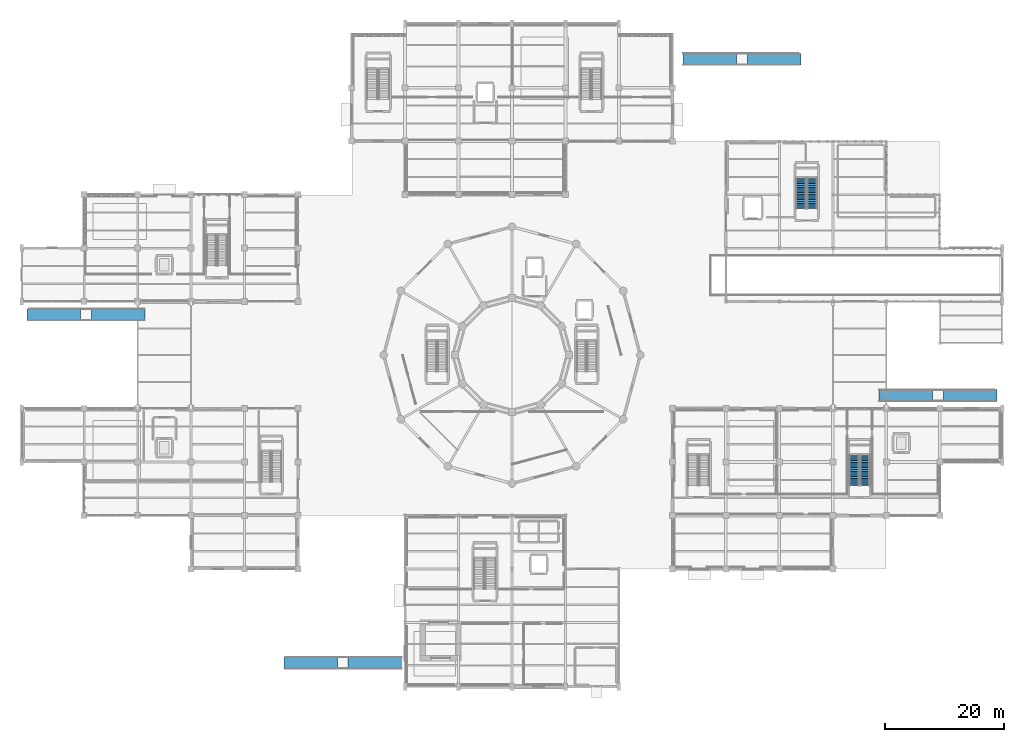
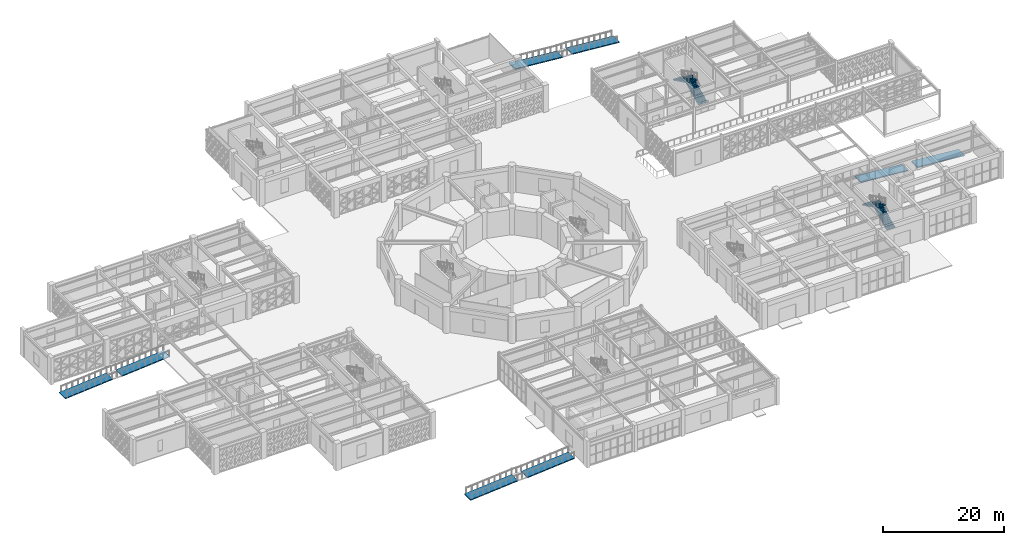
# One storey, part 123 of 140: 8 ramp flights, 4 stair flights, 6 elements without a shape of their own.
"""IFC4 building model written with IfcOpenShell, lengths in metres."""

import ifcopenshell
import ifcopenshell.guid

model = None  # the IFC model being written
_history = None  # IfcOwnerHistory: only IFC2X3 demands one
_inside = {}  # id of a spatial element -> (the spatial element, [elements in it])
_under = {}  # id of a project, library or spatial element -> (it, [spatial elements below it])
_declared = {}  # id of a project -> (the project, [libraries it declares])
_typed = {}  # id of a type object -> (the type object, [elements of that type])
_made_of = {}  # id of a material, layer set ... -> (it, [elements and type objects made of it])


def new_model(schema):
    """Start an empty IFC model of exactly this schema.

    Asked for "IFC4X3", IfcOpenShell would pick the latest addendum, in which some entities
    have other attributes; the version numbers below select the first issue.
    IFC2X3 requires an IfcOwnerHistory on every rooted entity: one is made here for all.
    """
    global model, _history
    if schema == "IFC4X3":
        model = ifcopenshell.file(schema_version=(4, 3, 0, 0))
    else:
        model = ifcopenshell.file(schema=schema)
    _inside.clear()
    _under.clear()
    _declared.clear()
    _typed.clear()
    _made_of.clear()
    _history = None
    if model.schema == "IFC2X3":
        org = make("IfcOrganization", Name="unknown")
        user = make(
            "IfcPersonAndOrganization",
            ThePerson=make("IfcPerson", FamilyName="unknown"),
            TheOrganization=org,
        )
        app = make(
            "IfcApplication",
            ApplicationDeveloper=org,
            Version="unknown",
            ApplicationFullName="unknown",
            ApplicationIdentifier="unknown",
        )
        _history = make(
            "IfcOwnerHistory",
            OwningUser=user,
            OwningApplication=app,
            ChangeAction="ADDED",
            CreationDate=0,
        )
    return model


def make(cls, **values):
    """One entity of the class cls with the attributes given. An attribute that is None is left unset."""
    return model.create_entity(
        cls, **{name: value for name, value in values.items() if value is not None}
    )


def rooted(cls, **values):
    """An entity with a GlobalId (a new one), such as an element, a storey or a relation."""
    return make(cls, GlobalId=ifcopenshell.guid.new(), OwnerHistory=_history, **values)


def si_unit(unit_type, name, prefix=None):
    """IfcSIUnit, for example si_unit("LENGTHUNIT", "METRE", prefix="MILLI")."""
    return make("IfcSIUnit", UnitType=unit_type, Prefix=prefix, Name=name)


def assignment(units):
    """IfcUnitAssignment: the units of a project."""
    return None if units is None else make("IfcUnitAssignment", Units=units)


def point(xyz):
    """IfcCartesianPoint."""
    return None if xyz is None else make("IfcCartesianPoint", Coordinates=xyz)


def direction(xyz):
    """IfcDirection."""
    return None if xyz is None else make("IfcDirection", DirectionRatios=xyz)


def frame(location, z_axis=None, x_axis=None):
    """IfcAxis2Placement3D, a coordinate frame: its origin and axes. An axis left out is left unset."""
    return make(
        "IfcAxis2Placement3D",
        Location=point(location),
        Axis=direction(z_axis),
        RefDirection=direction(x_axis),
    )


def origin():
    """The frame at (0, 0, 0) with its axes left unset."""
    return frame((0.0, 0.0, 0.0))


def place(relative_to, where):
    """IfcLocalPlacement: puts the frame where relative to a parent placement (None: the world)."""
    return make(
        "IfcLocalPlacement", PlacementRelTo=relative_to, RelativePlacement=where
    )


def context(
    kind, dimensions, precision=None, world=None, true_north=None, identifier=None
):
    """IfcGeometricRepresentationContext, for example the 3D "Model" context."""
    return make(
        "IfcGeometricRepresentationContext",
        ContextIdentifier=identifier,
        ContextType=kind,
        CoordinateSpaceDimension=dimensions,
        Precision=precision,
        WorldCoordinateSystem=world,
        TrueNorth=true_north,
    )


def subcontext(parent, identifier, kind, view, scale=None):
    """IfcGeometricRepresentationSubContext, for example "Body" below "Model"."""
    return make(
        "IfcGeometricRepresentationSubContext",
        ContextIdentifier=identifier,
        ContextType=kind,
        ParentContext=parent,
        TargetScale=scale,
        TargetView=view,
    )


def project(units=None, contexts=None):
    """IfcProject with its units and contexts."""
    return rooted(
        "IfcProject",
        Name="project",
        RepresentationContexts=contexts,
        UnitsInContext=assignment(units),
    )


def spatial(cls, under=None, at=None, **own):
    """A site, building, storey or space (cls), placed at a placement, below another one or the project."""
    s = rooted(cls, ObjectPlacement=at, **own)
    if under is not None:
        _under.setdefault(under.id(), (under, []))[1].append(s)
    return s


def polyline(points):
    """IfcPolyline through the points."""
    return make("IfcPolyline", Points=[point(p) for p in points])


def outline(outer, holes=None, kind="AREA"):
    """IfcArbitraryClosedProfileDef: a profile drawn as a closed curve; with holes, ...WithVoids."""
    if holes is None:
        return make("IfcArbitraryClosedProfileDef", ProfileType=kind, OuterCurve=outer)
    return make(
        "IfcArbitraryProfileDefWithVoids",
        ProfileType=kind,
        OuterCurve=outer,
        InnerCurves=holes,
    )


def extrude(swept, where, along, depth):
    """IfcExtrudedAreaSolid: the profile swept, set in the frame where, extruded along a direction by depth."""
    return make(
        "IfcExtrudedAreaSolid",
        SweptArea=swept,
        Position=where,
        ExtrudedDirection=direction(along),
        Depth=depth,
    )


def shape(context_of_items, identifier, shape_type, items):
    """IfcShapeRepresentation: the items that make up one representation, for example the "Body"."""
    return make(
        "IfcShapeRepresentation",
        ContextOfItems=context_of_items,
        RepresentationIdentifier=identifier,
        RepresentationType=shape_type,
        Items=items,
    )


def material(Name=None, Category=None):
    """IfcMaterial."""
    return make("IfcMaterial", Name=Name, Category=Category)


def made_of(thing, what):
    """Note that an element or type object is made of a material, layer set ...; save() writes the relation."""
    if what is not None:
        _made_of.setdefault(what.id(), (what, []))[1].append(thing)
    return thing


def type_object(cls, material=None, **own):
    """A type object (cls), such as IfcWallType, which elements share."""
    return made_of(rooted(cls, **own), material)


def element(
    cls,
    number,
    at=None,
    inside=None,
    cuts=None,
    type_object=None,
    material=None,
    context=None,
    identifier="Body",
    shape_type=None,
    held_by="IfcProductDefinitionShape",
    body=None,
    shapes=None,
    **own,
):
    """One element of the class cls, such as IfcWall. Its Tag is "e" and its number.

    at: its placement. inside: the storey or other place that contains it. cuts: it is an
    opening in that element (IfcRelVoidsElement). A single representation is given by context,
    identifier, shape_type and body (its items); several are given by shapes. held_by: the class
    of the entity that holds the representations. save() writes the other relations.
    """
    e = rooted(cls, Tag="e%d" % number, ObjectPlacement=at, **own)
    if body is not None:
        shapes = [shape(context, identifier, shape_type, body)]
    if shapes is not None:
        e.Representation = make(held_by, Representations=shapes)
    if inside is not None:
        _inside.setdefault(inside.id(), (inside, []))[1].append(e)
    if cuts is not None:
        rooted(
            "IfcRelVoidsElement", RelatingBuildingElement=cuts, RelatedOpeningElement=e
        )
    if type_object is not None:
        _typed.setdefault(type_object.id(), (type_object, []))[1].append(e)
    return made_of(e, material)


def aggregate(whole, parts):
    """IfcRelAggregates: a whole, such as a stair, and the parts it consists of."""
    return rooted("IfcRelAggregates", RelatingObject=whole, RelatedObjects=parts)


def save(model, path):
    """Write the relations noted so far, then the file.

    IfcRelAggregates (storeys below a building ...), IfcRelContainedInSpatialStructure (elements
    in a storey), IfcRelDefinesByType, IfcRelAssociatesMaterial and IfcRelDeclares: one each for
    every whole, place, type object, material and project.
    """
    for whole, parts in _under.values():
        aggregate(whole, parts)
    for where, things in _inside.values():
        rooted(
            "IfcRelContainedInSpatialStructure",
            RelatedElements=things,
            RelatingStructure=where,
        )
    for kind, things in _typed.values():
        rooted("IfcRelDefinesByType", RelatedObjects=things, RelatingType=kind)
    for what, things in _made_of.values():
        rooted("IfcRelAssociatesMaterial", RelatedObjects=things, RelatingMaterial=what)
    for by, libraries in _declared.values():
        rooted("IfcRelDeclares", RelatingContext=by, RelatedDefinitions=libraries)
    model.write(path)


model = new_model("IFC4")

# Units and contexts
model_context = context("Model", 3, precision=1e-05, world=origin(), true_north=direction((0.0, 1.0)))
body_context = subcontext(model_context, "Body", "Model", "MODEL_VIEW")
ifc_project = project(units=[si_unit("LENGTHUNIT", "METRE"), si_unit("AREAUNIT", "SQUARE_METRE"), si_unit("VOLUMEUNIT", "CUBIC_METRE"), si_unit("PLANEANGLEUNIT", "RADIAN"), si_unit("MASSUNIT", "GRAM", prefix="KILO")], contexts=[model_context])

# Site, building, storey
site_placement = place(None, origin())
site = spatial("IfcSite", under=ifc_project, at=site_placement, CompositionType="ELEMENT")
building_placement = place(site_placement, origin())
building = spatial("IfcBuilding", under=site, at=building_placement, Name="Haizhuo Lancet Aquarium", CompositionType="ELEMENT")
storey_placement = place(building_placement, origin())
storey = spatial("IfcBuildingStorey", under=building, at=storey_placement, Name="L00", CompositionType="ELEMENT", Elevation=0.0)

# Stair, stair flights
ifc_material = material(Name="Concrete C40/50", Category="concrete")
stair_type_1 = type_object("IfcStairType", Name="STR-HT-1600-54", PredefinedType="HALF_TURN_STAIR", material=ifc_material)
stair_1_placement = place(storey_placement, origin())
stair_1 = element("IfcStair", 1, at=stair_1_placement, inside=storey, type_object=stair_type_1, Name="L00 enclosed exit stair ST-05", PredefinedType="HALF_TURN_STAIR")
stair_flight_type_1 = type_object("IfcStairFlightType", Name="FLT-STR-1600-54", PredefinedType="STRAIGHT", material=ifc_material)
stair_flight_1_placement = place(storey_placement, frame((59.39990234375, -21.949951171875, 0.0), z_axis=(0.0, 0.0, 1.0), x_axis=(0.0, 1.0, 0.0)))
stair_flight_1 = element("IfcStairFlight", 2, at=stair_flight_1_placement, type_object=stair_flight_type_1, Name="ST-15 flight 1", NumberOfRisers=18, NumberOfTreads=17, PredefinedType="STRAIGHT", RiserHeight=0.15, TreadLength=0.3, context=body_context, shape_type="SweptSolid", body=[
    extrude(outline(polyline([(0.0, 0.0), (0.0, 0.14990234375), (0.300048828125, 0.14990234375), (0.300048828125, 0.300048828125), (0.60009765625, 0.300048828125), (0.60009765625, 0.449951171875), (0.89990234375, 0.449951171875), (0.89990234375, 0.60009765625), (1.199951171875, 0.60009765625), (1.199951171875, 0.75), (1.5, 0.75), (1.5, 0.89990234375), (1.800048828125, 0.89990234375), (1.800048828125, 1.050048828125), (2.10009765625, 1.050048828125), (2.10009765625, 1.199951171875), (2.39990234375, 1.199951171875), (2.39990234375, 1.35009765625), (2.699951171875, 1.35009765625), (2.699951171875, 1.5), (3.0, 1.5), (3.0, 1.64990234375), (3.300048828125, 1.64990234375), (3.300048828125, 1.800048828125), (3.60009765625, 1.800048828125), (3.60009765625, 1.949951171875), (3.89990234375, 1.949951171875), (3.89990234375, 2.10009765625), (4.199951171875, 2.10009765625), (4.199951171875, 2.25), (4.5, 2.25), (4.5, 2.39990234375), (4.800048828125, 2.39990234375), (4.800048828125, 2.550048828125), (5.10009765625, 2.550048828125), (5.10009765625, 2.699951171875), (5.10009765625, 2.37109375), (0.357666015625, 0.0), (0.0, 0.0)])), frame((0.0, 0.800048828125, 0.0), z_axis=(0.0, -1.0, 0.0), x_axis=(1.0, 0.0, 0.0)), (0.0, 0.0, 1.0), 1.60009765625),
])
stair_flight_2_placement = place(storey_placement, frame((57.60009765625, -16.85009765625, 2.699951171875), z_axis=(0.0, 0.0, 1.0), x_axis=(0.0, -1.0, 0.0)))
stair_flight_2 = element("IfcStairFlight", 3, at=stair_flight_2_placement, type_object=stair_flight_type_1, Name="ST-15 flight 2", NumberOfRisers=18, NumberOfTreads=17, PredefinedType="STRAIGHT", RiserHeight=0.15, TreadLength=0.3, context=body_context, shape_type="SweptSolid", body=[
    extrude(outline(polyline([(0.0, 0.0), (0.0, 0.14990234375), (0.300048828125, 0.14990234375), (0.300048828125, 0.300048828125), (0.60009765625, 0.300048828125), (0.60009765625, 0.449951171875), (0.89990234375, 0.449951171875), (0.89990234375, 0.60009765625), (1.199951171875, 0.60009765625), (1.199951171875, 0.75), (1.5, 0.75), (1.5, 0.89990234375), (1.800048828125, 0.89990234375), (1.800048828125, 1.050048828125), (2.10009765625, 1.050048828125), (2.10009765625, 1.199951171875), (2.39990234375, 1.199951171875), (2.39990234375, 1.35009765625), (2.699951171875, 1.35009765625), (2.699951171875, 1.5), (3.0, 1.5), (3.0, 1.64990234375), (3.300048828125, 1.64990234375), (3.300048828125, 1.800048828125), (3.60009765625, 1.800048828125), (3.60009765625, 1.949951171875), (3.89990234375, 1.949951171875), (3.89990234375, 2.10009765625), (4.199951171875, 2.10009765625), (4.199951171875, 2.25), (4.5, 2.25), (4.5, 2.39990234375), (4.800048828125, 2.39990234375), (4.800048828125, 2.550048828125), (5.10009765625, 2.550048828125), (5.10009765625, 2.699951171875), (5.10009765625, 2.37109375), (0.357666015625, 0.0), (0.0, 0.0)])), frame((0.0, 0.800048828125, 0.0), z_axis=(0.0, -1.0, 0.0), x_axis=(1.0, 0.0, 0.0)), (0.0, 0.0, 1.0), 1.60009765625),
])
aggregate(stair_1, [stair_flight_1, stair_flight_2])

stair_type_2 = type_object("IfcStairType", Name="STR-HT-1700-54", PredefinedType="HALF_TURN_STAIR", material=ifc_material)
stair_2_placement = place(storey_placement, origin())
stair_2 = element("IfcStair", 4, at=stair_2_placement, inside=storey, type_object=stair_type_2, Name="L00 enclosed exit stair ST-10", PredefinedType="HALF_TURN_STAIR")
stair_flight_type_2 = type_object("IfcStairFlightType", Name="FLT-STR-1700-54", PredefinedType="STRAIGHT", material=ifc_material)
stair_flight_3_placement = place(storey_placement, frame((50.550048828125, 24.64990234375, 0.0), z_axis=(0.0, 0.0, 1.0), x_axis=(0.0, 1.0, 0.0)))
stair_flight_3 = element("IfcStairFlight", 5, at=stair_flight_3_placement, type_object=stair_flight_type_2, Name="ST-35 flight 1", NumberOfRisers=18, NumberOfTreads=17, PredefinedType="STRAIGHT", RiserHeight=0.15, TreadLength=0.3, context=body_context, shape_type="SweptSolid", body=[
    extrude(outline(polyline([(0.0, 0.0), (0.0, 0.14990234375), (0.300048828125, 0.14990234375), (0.300048828125, 0.300048828125), (0.60009765625, 0.300048828125), (0.60009765625, 0.449951171875), (0.89990234375, 0.449951171875), (0.89990234375, 0.60009765625), (1.199951171875, 0.60009765625), (1.199951171875, 0.75), (1.5, 0.75), (1.5, 0.89990234375), (1.800048828125, 0.89990234375), (1.800048828125, 1.050048828125), (2.10009765625, 1.050048828125), (2.10009765625, 1.199951171875), (2.39990234375, 1.199951171875), (2.39990234375, 1.35009765625), (2.699951171875, 1.35009765625), (2.699951171875, 1.5), (3.0, 1.5), (3.0, 1.64990234375), (3.300048828125, 1.64990234375), (3.300048828125, 1.800048828125), (3.60009765625, 1.800048828125), (3.60009765625, 1.949951171875), (3.89990234375, 1.949951171875), (3.89990234375, 2.10009765625), (4.199951171875, 2.10009765625), (4.199951171875, 2.25), (4.5, 2.25), (4.5, 2.39990234375), (4.800048828125, 2.39990234375), (4.800048828125, 2.550048828125), (5.10009765625, 2.550048828125), (5.10009765625, 2.699951171875), (5.10009765625, 2.37109375), (0.357666015625, 0.0), (0.0, 0.0)])), frame((0.0, 0.85009765625, 0.0), z_axis=(0.0, -1.0, 0.0), x_axis=(1.0, 0.0, 0.0)), (0.0, 0.0, 1.0), 1.699951171875),
])
stair_flight_4_placement = place(storey_placement, frame((48.64990234375, 29.75, 2.699951171875), z_axis=(0.0, 0.0, 1.0), x_axis=(0.0, -1.0, 0.0)))
stair_flight_4 = element("IfcStairFlight", 6, at=stair_flight_4_placement, type_object=stair_flight_type_2, Name="ST-35 flight 2", NumberOfRisers=18, NumberOfTreads=17, PredefinedType="STRAIGHT", RiserHeight=0.15, TreadLength=0.3, context=body_context, shape_type="SweptSolid", body=[
    extrude(outline(polyline([(0.0, 0.0), (0.0, 0.14990234375), (0.300048828125, 0.14990234375), (0.300048828125, 0.300048828125), (0.60009765625, 0.300048828125), (0.60009765625, 0.449951171875), (0.89990234375, 0.449951171875), (0.89990234375, 0.60009765625), (1.199951171875, 0.60009765625), (1.199951171875, 0.75), (1.5, 0.75), (1.5, 0.89990234375), (1.800048828125, 0.89990234375), (1.800048828125, 1.050048828125), (2.10009765625, 1.050048828125), (2.10009765625, 1.199951171875), (2.39990234375, 1.199951171875), (2.39990234375, 1.35009765625), (2.699951171875, 1.35009765625), (2.699951171875, 1.5), (3.0, 1.5), (3.0, 1.64990234375), (3.300048828125, 1.64990234375), (3.300048828125, 1.800048828125), (3.60009765625, 1.800048828125), (3.60009765625, 1.949951171875), (3.89990234375, 1.949951171875), (3.89990234375, 2.10009765625), (4.199951171875, 2.10009765625), (4.199951171875, 2.25), (4.5, 2.25), (4.5, 2.39990234375), (4.800048828125, 2.39990234375), (4.800048828125, 2.550048828125), (5.10009765625, 2.550048828125), (5.10009765625, 2.699951171875), (5.10009765625, 2.37109375), (0.357666015625, 0.0), (0.0, 0.0)])), frame((0.0, 0.85009765625, 0.0), z_axis=(0.0, -1.0, 0.0), x_axis=(1.0, 0.0, 0.0)), (0.0, 0.0, 1.0), 1.699951171875),
])
aggregate(stair_2, [stair_flight_3, stair_flight_4])

# Ramp, ramp flights
ramp_type = type_object("IfcRampType", Name="RMP-STR", PredefinedType="STRAIGHT_RUN_RAMP", material=ifc_material)
ramp_1_placement = place(storey_placement, origin())
ramp_1 = element("IfcRamp", 7, at=ramp_1_placement, inside=storey, type_object=ramp_type, material=ifc_material, Name="West Avenue Accessible Plinth Ramp RMP-01", PredefinedType="STRAIGHT_RUN_RAMP")
ramp_flight_type = type_object("IfcRampFlightType", Name="RFLT-STR", PredefinedType="STRAIGHT", material=ifc_material)
ramp_flight_1_placement = place(storey_placement, frame((-81.60009765625, 5.800048828125, -1.5), z_axis=(-0.083045479854, 0.0, 0.996545758245), x_axis=(0.996545758245, 0.0, 0.083045479854)))
ramp_flight_1 = element("IfcRampFlight", 8, at=ramp_flight_1_placement, type_object=ramp_flight_type, material=ifc_material, Name="West Avenue Accessible Plinth Ramp RMP-01 flight 1", PredefinedType="STRAIGHT", context=body_context, shape_type="SweptSolid", body=[
    extrude(outline(polyline([(0.0, 0.0), (9.031195934094223, 0.0), (9.031195934094223, 2.0), (0.0, 2.0), (0.0, 0.0)])), origin(), (0.0, 0.0, -1.0), 0.199951171875),
])
ramp_flight_2_placement = place(storey_placement, frame((-70.800048828125, 5.800048828125, -0.75), z_axis=(-0.083045479854, 0.0, 0.996545758245), x_axis=(0.996545758245, 0.0, 0.083045479854)))
ramp_flight_2 = element("IfcRampFlight", 9, at=ramp_flight_2_placement, type_object=ramp_flight_type, material=ifc_material, Name="West Avenue Accessible Plinth Ramp RMP-01 flight 2", PredefinedType="STRAIGHT", context=body_context, shape_type="SweptSolid", body=[
    extrude(outline(polyline([(0.0, 0.0), (9.031195934094223, 0.0), (9.031195934094223, 2.0), (0.0, 2.0), (0.0, 0.0)])), origin(), (0.0, 0.0, -1.0), 0.199951171875),
])
aggregate(ramp_1, [ramp_flight_1, ramp_flight_2])

ramp_2_placement = place(storey_placement, origin())
ramp_2 = element("IfcRamp", 10, at=ramp_2_placement, inside=storey, type_object=ramp_type, material=ifc_material, Name="East Avenue Accessible Plinth Ramp RMP-02", PredefinedType="STRAIGHT_RUN_RAMP")
ramp_flight_3_placement = place(storey_placement, frame((81.60009765625, -7.800048828125, -1.5), z_axis=(0.083045479854, 0.0, 0.996545758245), x_axis=(-0.996545758245, 0.0, 0.083045479854)))
ramp_flight_3 = element("IfcRampFlight", 11, at=ramp_flight_3_placement, type_object=ramp_flight_type, material=ifc_material, Name="East Avenue Accessible Plinth Ramp RMP-02 flight 1", PredefinedType="STRAIGHT", context=body_context, shape_type="SweptSolid", body=[
    extrude(outline(polyline([(0.0, 0.0), (9.031195934094223, 0.0), (9.031195934094223, -2.0), (0.0, -2.0), (0.0, 0.0)])), origin(), (0.0, 0.0, -1.0), 0.199951171875),
])
ramp_flight_4_placement = place(storey_placement, frame((70.800048828125, -7.800048828125, -0.75), z_axis=(0.083045479854, 0.0, 0.996545758245), x_axis=(-0.996545758245, 0.0, 0.083045479854)))
ramp_flight_4 = element("IfcRampFlight", 12, at=ramp_flight_4_placement, type_object=ramp_flight_type, material=ifc_material, Name="East Avenue Accessible Plinth Ramp RMP-02 flight 2", PredefinedType="STRAIGHT", context=body_context, shape_type="SweptSolid", body=[
    extrude(outline(polyline([(0.0, 0.0), (9.031195934094223, 0.0), (9.031195934094223, -2.0), (0.0, -2.0), (0.0, 0.0)])), origin(), (0.0, 0.0, -1.0), 0.199951171875),
])
aggregate(ramp_2, [ramp_flight_3, ramp_flight_4])

ramp_3_placement = place(storey_placement, origin())
ramp_3 = element("IfcRamp", 13, at=ramp_3_placement, inside=storey, type_object=ramp_type, material=ifc_material, Name="South Forecourt Accessible Plinth Ramp RMP-03", PredefinedType="STRAIGHT_RUN_RAMP")
ramp_flight_5_placement = place(storey_placement, frame((-38.39990234375, -52.800048828125, -1.5), z_axis=(-0.083045479854, 0.0, 0.996545758245), x_axis=(0.996545758245, 0.0, 0.083045479854)))
ramp_flight_5 = element("IfcRampFlight", 14, at=ramp_flight_5_placement, type_object=ramp_flight_type, material=ifc_material, Name="South Forecourt Accessible Plinth Ramp RMP-03 flight 1", PredefinedType="STRAIGHT", context=body_context, shape_type="SweptSolid", body=[
    extrude(outline(polyline([(0.0, 0.0), (9.031195934094223, 0.0), (9.031195934094223, 2.0), (0.0, 2.0), (0.0, 0.0)])), origin(), (0.0, 0.0, -1.0), 0.199951171875),
])
ramp_flight_6_placement = place(storey_placement, frame((-27.60009765625, -52.800048828125, -0.75), z_axis=(-0.083045479854, 0.0, 0.996545758245), x_axis=(0.996545758245, 0.0, 0.083045479854)))
ramp_flight_6 = element("IfcRampFlight", 15, at=ramp_flight_6_placement, type_object=ramp_flight_type, material=ifc_material, Name="South Forecourt Accessible Plinth Ramp RMP-03 flight 2", PredefinedType="STRAIGHT", context=body_context, shape_type="SweptSolid", body=[
    extrude(outline(polyline([(0.0, 0.0), (9.031195934094223, 0.0), (9.031195934094223, 2.0), (0.0, 2.0), (0.0, 0.0)])), origin(), (0.0, 0.0, -1.0), 0.199951171875),
])
aggregate(ramp_3, [ramp_flight_5, ramp_flight_6])

ramp_4_placement = place(storey_placement, origin())
ramp_4 = element("IfcRamp", 16, at=ramp_4_placement, inside=storey, type_object=ramp_type, material=ifc_material, Name="North Plaza Accessible Plinth Ramp RMP-04", PredefinedType="STRAIGHT_RUN_RAMP")
ramp_flight_7_placement = place(storey_placement, frame((48.60009765625, 48.800048828125, -1.5), z_axis=(0.083045479854, 0.0, 0.996545758245), x_axis=(-0.996545758245, 0.0, 0.083045479854)))
ramp_flight_7 = element("IfcRampFlight", 17, at=ramp_flight_7_placement, type_object=ramp_flight_type, material=ifc_material, Name="North Plaza Accessible Plinth Ramp RMP-04 flight 1", PredefinedType="STRAIGHT", context=body_context, shape_type="SweptSolid", body=[
    extrude(outline(polyline([(0.0, 0.0), (9.031195934094223, 0.0), (9.031195934094223, -2.0), (0.0, -2.0), (0.0, 0.0)])), origin(), (0.0, 0.0, -1.0), 0.199951171875),
])
ramp_flight_8_placement = place(storey_placement, frame((37.800048828125, 48.800048828125, -0.75), z_axis=(0.083045479854, 0.0, 0.996545758245), x_axis=(-0.996545758245, 0.0, 0.083045479854)))
ramp_flight_8 = element("IfcRampFlight", 18, at=ramp_flight_8_placement, type_object=ramp_flight_type, material=ifc_material, Name="North Plaza Accessible Plinth Ramp RMP-04 flight 2", PredefinedType="STRAIGHT", context=body_context, shape_type="SweptSolid", body=[
    extrude(outline(polyline([(0.0, 0.0), (9.031195934094223, 0.0), (9.031195934094223, -2.0), (0.0, -2.0), (0.0, 0.0)])), origin(), (0.0, 0.0, -1.0), 0.199951171875),
])
aggregate(ramp_4, [ramp_flight_7, ramp_flight_8])

save(model, "model.ifc")
